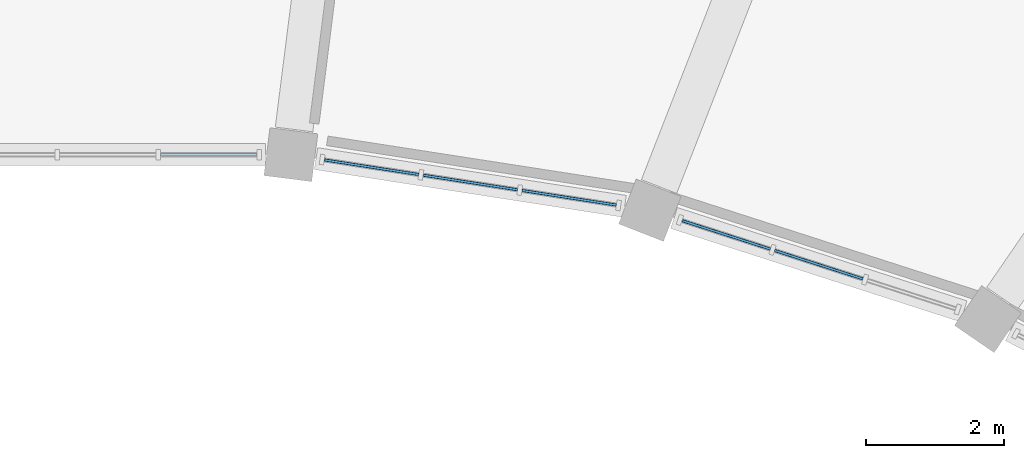
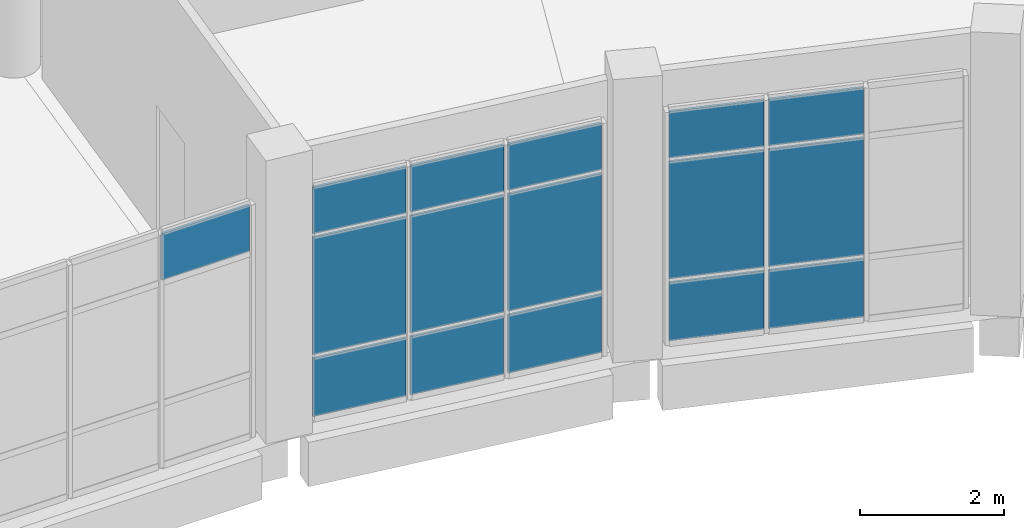
# One storey, part 90 of 179: 16 plates, 3 elements without a shape of their own.
"""IFC4 building model written with IfcOpenShell, lengths in metres."""

from ifc_helpers import new_model, si_unit, direction, frame, origin, origin_2d, place, context, subcontext, project, spatial, rectangle, extrude, material, layer, layer_set, type_object, element, aggregate, save


model = new_model("IFC4")

# Units and contexts
model_context = context("Model", 3, precision=1e-05, world=origin(), true_north=direction((0.0, 1.0)))
body_context = subcontext(model_context, "Body", "Model", "MODEL_VIEW")
ifc_project = project(units=[si_unit("LENGTHUNIT", "METRE"), si_unit("AREAUNIT", "SQUARE_METRE"), si_unit("VOLUMEUNIT", "CUBIC_METRE"), si_unit("PLANEANGLEUNIT", "RADIAN"), si_unit("MASSUNIT", "GRAM", prefix="KILO")], contexts=[model_context])

# Site, building, storey
site_placement = place(None, origin())
site = spatial("IfcSite", under=ifc_project, at=site_placement, CompositionType="ELEMENT")
building_placement = place(site_placement, origin())
building = spatial("IfcBuilding", under=site, at=building_placement, Name="Corvandel Quay Wholesale Market", CompositionType="ELEMENT")
storey_placement = place(building_placement, frame((0.0, 0.0, 6.0)))
storey = spatial("IfcBuildingStorey", under=building, at=storey_placement, Name="L01", CompositionType="ELEMENT", Elevation=6.0)

# Curtain wall, plates
ifc_material_1 = material(Name="Bronze anodised aluminium and low-E insulated glazing", Category="aluminium")
ifc_layer_1 = layer(ifc_material_1, 0.14990234375)
ifc_layer_set_1 = layer_set([ifc_layer_1], Name="Bronze anodised aluminium and low-E insulated glazing")
curtain_wall_type_1 = type_object("IfcCurtainWallType", Name="Stick Curtain Wall System CW20 H4800", PredefinedType="NOTDEFINED", material=ifc_layer_set_1)
curtain_wall_1_placement = place(storey_placement, origin())
curtain_wall_1 = element("IfcCurtainWall", 1, at=curtain_wall_1_placement, inside=storey, type_object=curtain_wall_type_1, Name="Curtain Wall CW-0016", PredefinedType="NOTDEFINED")
ifc_material_2 = material(Name="Solar-control low-E insulated glazing", Category="glass")
ifc_layer_2 = layer(ifc_material_2, 0.033935546875)
ifc_layer_set_2 = layer_set([ifc_layer_2], Name="Solar-control low-E insulated glazing")
plate_type_1 = type_object("IfcPlateType", Name="Acoustic Laminated Vision Panel PN02 34mm", PredefinedType="CURTAIN_PANEL", material=ifc_layer_set_2)
plate_1_placement = place(storey_placement, frame((124.33251953125, 61.401611328125, 0.02978515625), z_axis=(0.0, 0.0, 1.0), x_axis=(-0.951808747363, 0.306692204733, 0.0)))
plate_1 = element("IfcPlate", 2, at=plate_1_placement, type_object=plate_type_1, Name="Glazing Panel CW-0016-P01-0", PredefinedType="CURTAIN_PANEL", context=body_context, shape_type="SweptSolid", body=[
    extrude(rectangle(XDim=1.348876953125, YDim=0.033935546875, at=origin_2d()), origin(), (0.0, 0.0, 1.0), 0.989990234375),
])
plate_2_placement = place(storey_placement, frame((124.33251953125, 61.401611328125, 1.080078125), z_axis=(0.0, 0.0, 1.0), x_axis=(-0.951808747363, 0.306692204733, 0.0)))
plate_2 = element("IfcPlate", 3, at=plate_2_placement, type_object=plate_type_1, Name="Glazing Panel CW-0016-P01-1", PredefinedType="CURTAIN_PANEL", context=body_context, shape_type="SweptSolid", body=[
    extrude(rectangle(XDim=1.348876953125, YDim=0.033935546875, at=origin_2d()), origin(), (0.0, 0.0, 1.0), 1.989990234375),
])
plate_3_placement = place(storey_placement, frame((122.98681640625, 61.835205078125, 0.02978515625), z_axis=(0.0, 0.0, 1.0), x_axis=(-0.951808747363, 0.306692204733, 0.0)))
plate_3 = element("IfcPlate", 4, at=plate_3_placement, type_object=plate_type_1, Name="Glazing Panel CW-0016-P02-0", PredefinedType="CURTAIN_PANEL", context=body_context, shape_type="SweptSolid", body=[
    extrude(rectangle(XDim=1.348876953125, YDim=0.033935546875, at=origin_2d()), origin(), (0.0, 0.0, 1.0), 0.989990234375),
])
plate_4_placement = place(storey_placement, frame((122.98681640625, 61.835205078125, 1.080078125), z_axis=(0.0, 0.0, 1.0), x_axis=(-0.951808747363, 0.306692204733, 0.0)))
plate_4 = element("IfcPlate", 5, at=plate_4_placement, type_object=plate_type_1, Name="Glazing Panel CW-0016-P02-1", PredefinedType="CURTAIN_PANEL", context=body_context, shape_type="SweptSolid", body=[
    extrude(rectangle(XDim=1.348876953125, YDim=0.033935546875, at=origin_2d()), origin(), (0.0, 0.0, 1.0), 1.989990234375),
])

ifc_layer_3 = layer(ifc_material_1, 0.162109375)
ifc_layer_set_3 = layer_set([ifc_layer_3], Name="Bronze anodised aluminium and low-E insulated glazing")
curtain_wall_type_2 = type_object("IfcCurtainWallType", Name="Stick Curtain Wall System CW21 H4890", PredefinedType="NOTDEFINED", material=ifc_layer_set_3)
curtain_wall_2_placement = place(storey_placement, origin())
curtain_wall_2 = element("IfcCurtainWall", 6, at=curtain_wall_2_placement, inside=storey, type_object=curtain_wall_type_2, Name="Curtain Wall CW-0020", PredefinedType="NOTDEFINED")
plate_5_placement = place(storey_placement, frame((120.703369140625, 62.37451171875, 0.02978515625), z_axis=(0.0, 0.0, 1.0), x_axis=(-0.98825506746, 0.152813355565, 0.0)))
plate_5 = element("IfcPlate", 7, at=plate_5_placement, type_object=plate_type_1, Name="Glazing Panel CW-0020-P00-0", PredefinedType="CURTAIN_PANEL", context=body_context, shape_type="SweptSolid", body=[
    extrude(rectangle(XDim=1.387939453125, YDim=0.033935546875, at=origin_2d()), origin(), (0.0, 0.0, 1.0), 0.989990234375),
])
plate_6_placement = place(storey_placement, frame((120.703369140625, 62.37451171875, 1.080078125), z_axis=(0.0, 0.0, 1.0), x_axis=(-0.98825506746, 0.152813355565, 0.0)))
plate_6 = element("IfcPlate", 8, at=plate_6_placement, type_object=plate_type_1, Name="Glazing Panel CW-0020-P00-1", PredefinedType="CURTAIN_PANEL", context=body_context, shape_type="SweptSolid", body=[
    extrude(rectangle(XDim=1.387939453125, YDim=0.033935546875, at=origin_2d()), origin(), (0.0, 0.0, 1.0), 1.989990234375),
])
plate_7_placement = place(storey_placement, frame((119.267578125, 62.596435546875, 0.02978515625), z_axis=(0.0, 0.0, 1.0), x_axis=(-0.98825506746, 0.152813355565, 0.0)))
plate_7 = element("IfcPlate", 9, at=plate_7_placement, type_object=plate_type_1, Name="Glazing Panel CW-0020-P01-0", PredefinedType="CURTAIN_PANEL", context=body_context, shape_type="SweptSolid", body=[
    extrude(rectangle(XDim=1.387939453125, YDim=0.033935546875, at=origin_2d()), origin(), (0.0, 0.0, 1.0), 0.989990234375),
])
plate_8_placement = place(storey_placement, frame((119.267578125, 62.596435546875, 1.080078125), z_axis=(0.0, 0.0, 1.0), x_axis=(-0.98825506746, 0.152813355565, 0.0)))
plate_8 = element("IfcPlate", 10, at=plate_8_placement, type_object=plate_type_1, Name="Glazing Panel CW-0020-P01-1", PredefinedType="CURTAIN_PANEL", context=body_context, shape_type="SweptSolid", body=[
    extrude(rectangle(XDim=1.387939453125, YDim=0.033935546875, at=origin_2d()), origin(), (0.0, 0.0, 1.0), 1.989990234375),
])
plate_9_placement = place(storey_placement, frame((117.83154296875, 62.818603515625, 0.02978515625), z_axis=(0.0, 0.0, 1.0), x_axis=(-0.98825506746, 0.152813355565, 0.0)))
plate_9 = element("IfcPlate", 11, at=plate_9_placement, type_object=plate_type_1, Name="Glazing Panel CW-0020-P02-0", PredefinedType="CURTAIN_PANEL", context=body_context, shape_type="SweptSolid", body=[
    extrude(rectangle(XDim=1.387939453125, YDim=0.033935546875, at=origin_2d()), origin(), (0.0, 0.0, 1.0), 0.989990234375),
])
plate_10_placement = place(storey_placement, frame((117.83154296875, 62.818603515625, 1.080078125), z_axis=(0.0, 0.0, 1.0), x_axis=(-0.98825506746, 0.152813355565, 0.0)))
plate_10 = element("IfcPlate", 12, at=plate_10_placement, type_object=plate_type_1, Name="Glazing Panel CW-0020-P02-1", PredefinedType="CURTAIN_PANEL", context=body_context, shape_type="SweptSolid", body=[
    extrude(rectangle(XDim=1.387939453125, YDim=0.033935546875, at=origin_2d()), origin(), (0.0, 0.0, 1.0), 1.989990234375),
])

# Plate
ifc_layer_4 = layer(ifc_material_2, 0.0400390625)
ifc_layer_set_4 = layer_set([ifc_layer_4], Name="Solar-control low-E insulated glazing")
plate_type_2 = type_object("IfcPlateType", Name="Ceramic Fritted Spandrel Panel PN03 40mm", PredefinedType="CURTAIN_PANEL", material=ifc_layer_set_4)
plate_11_placement = place(storey_placement, frame((124.33251953125, 61.401611328125, 3.1298828125), z_axis=(0.0, 0.0, 1.0), x_axis=(-0.951808747363, 0.306692204733, 0.0)))
plate_11 = element("IfcPlate", 13, at=plate_11_placement, type_object=plate_type_2, Name="Glazing Panel CW-0016-P01-2", PredefinedType="CURTAIN_PANEL", context=body_context, shape_type="SweptSolid", body=[
    extrude(rectangle(XDim=1.348876953125, YDim=0.0400390625, at=origin_2d()), origin(), (0.0, 0.0, 1.0), 0.7900390625),
])

plate_12_placement = place(storey_placement, frame((122.98681640625, 61.835205078125, 3.1298828125), z_axis=(0.0, 0.0, 1.0), x_axis=(-0.951808747363, 0.306692204733, 0.0)))
plate_12 = element("IfcPlate", 14, at=plate_12_placement, type_object=plate_type_2, Name="Glazing Panel CW-0016-P02-2", PredefinedType="CURTAIN_PANEL", context=body_context, shape_type="SweptSolid", body=[
    extrude(rectangle(XDim=1.348876953125, YDim=0.0400390625, at=origin_2d()), origin(), (0.0, 0.0, 1.0), 0.7900390625),
])

aggregate(curtain_wall_1, [plate_1, plate_2, plate_11, plate_3, plate_4, plate_12])

plate_13_placement = place(storey_placement, frame((120.703369140625, 62.37451171875, 3.1298828125), z_axis=(0.0, 0.0, 1.0), x_axis=(-0.98825506746, 0.152813355565, 0.0)))
plate_13 = element("IfcPlate", 15, at=plate_13_placement, type_object=plate_type_2, Name="Glazing Panel CW-0020-P00-2", PredefinedType="CURTAIN_PANEL", context=body_context, shape_type="SweptSolid", body=[
    extrude(rectangle(XDim=1.387939453125, YDim=0.0400390625, at=origin_2d()), origin(), (0.0, 0.0, 1.0), 0.7900390625),
])

plate_14_placement = place(storey_placement, frame((119.267578125, 62.596435546875, 3.1298828125), z_axis=(0.0, 0.0, 1.0), x_axis=(-0.98825506746, 0.152813355565, 0.0)))
plate_14 = element("IfcPlate", 16, at=plate_14_placement, type_object=plate_type_2, Name="Glazing Panel CW-0020-P01-2", PredefinedType="CURTAIN_PANEL", context=body_context, shape_type="SweptSolid", body=[
    extrude(rectangle(XDim=1.387939453125, YDim=0.0400390625, at=origin_2d()), origin(), (0.0, 0.0, 1.0), 0.7900390625),
])

plate_15_placement = place(storey_placement, frame((117.83154296875, 62.818603515625, 3.1298828125), z_axis=(0.0, 0.0, 1.0), x_axis=(-0.98825506746, 0.152813355565, 0.0)))
plate_15 = element("IfcPlate", 17, at=plate_15_placement, type_object=plate_type_2, Name="Glazing Panel CW-0020-P02-2", PredefinedType="CURTAIN_PANEL", context=body_context, shape_type="SweptSolid", body=[
    extrude(rectangle(XDim=1.387939453125, YDim=0.0400390625, at=origin_2d()), origin(), (0.0, 0.0, 1.0), 0.7900390625),
])

aggregate(curtain_wall_2, [plate_5, plate_6, plate_13, plate_7, plate_8, plate_14, plate_9, plate_10, plate_15])

# Curtain wall, plate
ifc_layer_5 = layer(ifc_material_1, 0.174072265625)
ifc_layer_set_5 = layer_set([ifc_layer_5], Name="Bronze anodised aluminium and low-E insulated glazing")
curtain_wall_type_3 = type_object("IfcCurtainWallType", Name="Stick Curtain Wall System CW22 H4980", PredefinedType="NOTDEFINED", material=ifc_layer_set_5)
curtain_wall_3_placement = place(storey_placement, origin())
curtain_wall_3 = element("IfcCurtainWall", 18, at=curtain_wall_3_placement, inside=storey, type_object=curtain_wall_type_3, Name="Curtain Wall CW-0022", PredefinedType="NOTDEFINED")
plate_16_placement = place(storey_placement, frame((115.466064453125, 63.0, 3.1298828125), z_axis=(0.0, 0.0, 1.0), x_axis=(1.0, 0.0, 0.0)))
plate_16 = element("IfcPlate", 19, at=plate_16_placement, type_object=plate_type_2, Name="Glazing Panel CW-0022-P00-2", PredefinedType="CURTAIN_PANEL", context=body_context, shape_type="SweptSolid", body=[
    extrude(rectangle(XDim=1.40087890625, YDim=0.0400390625, at=origin_2d()), origin(), (0.0, 0.0, 1.0), 0.7900390625),
])
aggregate(curtain_wall_3, [plate_16])

save(model, "model.ifc")
